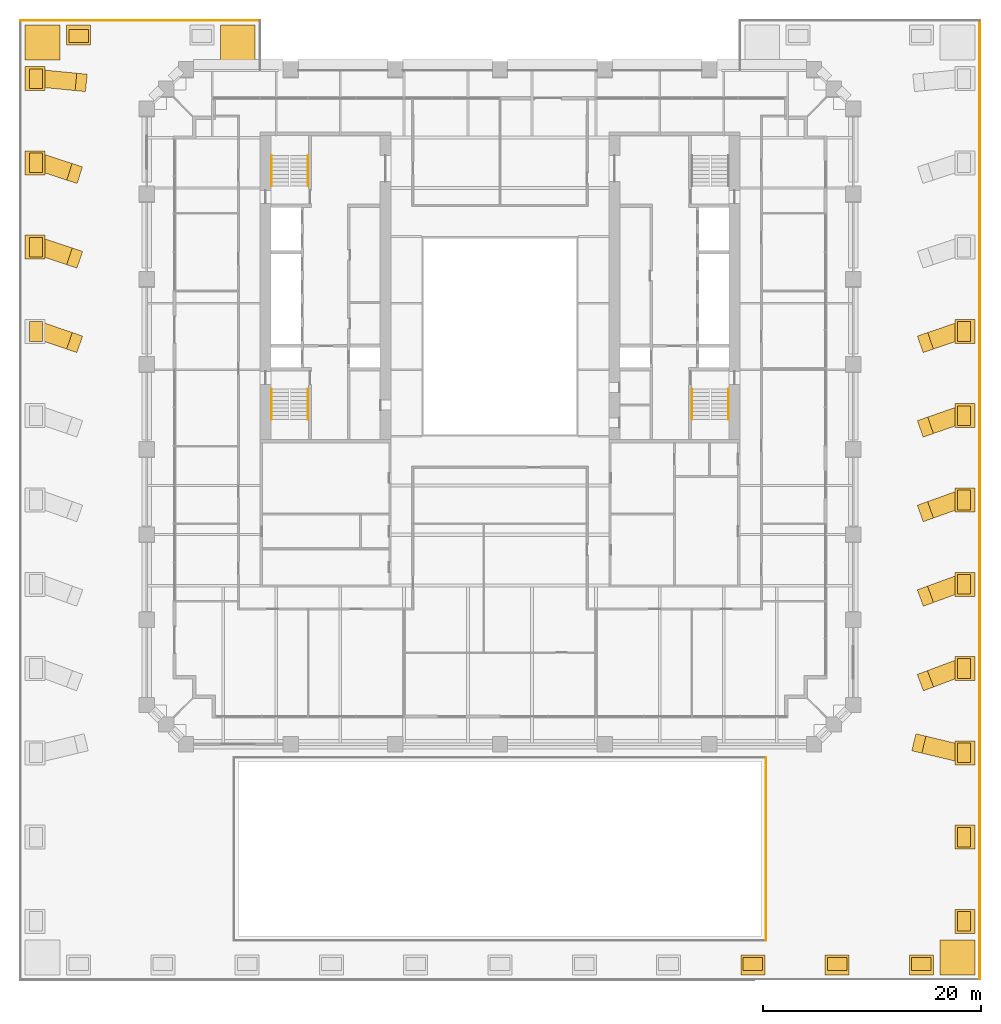
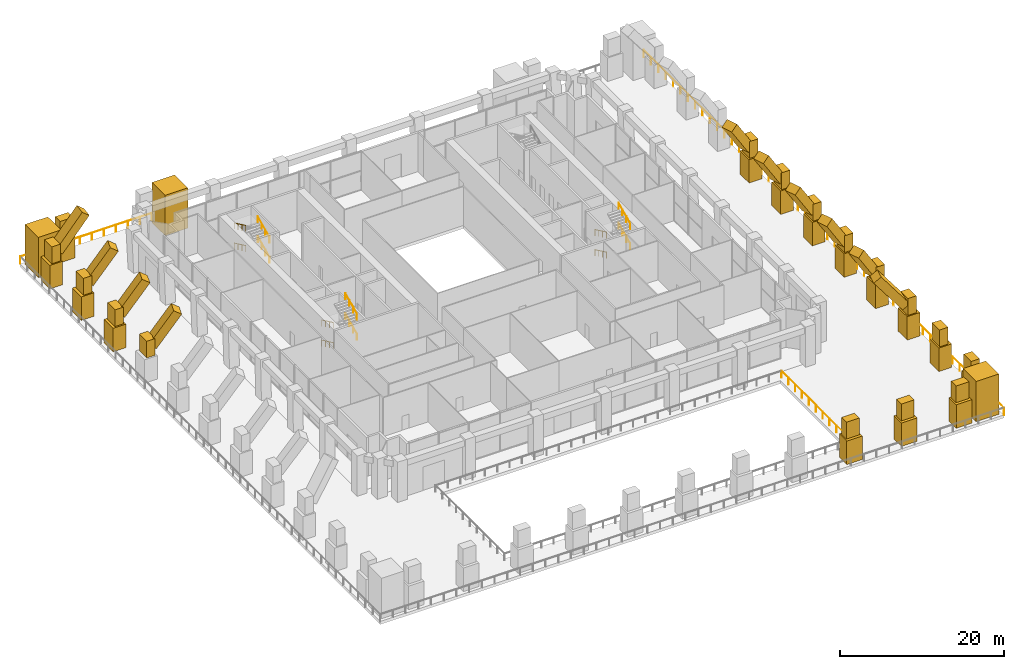
# One storey, part 19 of 20: 44 coverings, 15 railings.
"""IFC4 building model written with IfcOpenShell, lengths in metres."""

import ifcopenshell
import ifcopenshell.guid

model = None  # the IFC model being written
_history = None  # IfcOwnerHistory: only IFC2X3 demands one
_inside = {}  # id of a spatial element -> (the spatial element, [elements in it])
_under = {}  # id of a project, library or spatial element -> (it, [spatial elements below it])
_declared = {}  # id of a project -> (the project, [libraries it declares])
_typed = {}  # id of a type object -> (the type object, [elements of that type])
_made_of = {}  # id of a material, layer set ... -> (it, [elements and type objects made of it])


def new_model(schema):
    """Start an empty IFC model of exactly this schema.

    Asked for "IFC4X3", IfcOpenShell would pick the latest addendum, in which some entities
    have other attributes; the version numbers below select the first issue.
    IFC2X3 requires an IfcOwnerHistory on every rooted entity: one is made here for all.
    """
    global model, _history
    if schema == "IFC4X3":
        model = ifcopenshell.file(schema_version=(4, 3, 0, 0))
    else:
        model = ifcopenshell.file(schema=schema)
    _inside.clear()
    _under.clear()
    _declared.clear()
    _typed.clear()
    _made_of.clear()
    _history = None
    if model.schema == "IFC2X3":
        org = make("IfcOrganization", Name="unknown")
        user = make(
            "IfcPersonAndOrganization",
            ThePerson=make("IfcPerson", FamilyName="unknown"),
            TheOrganization=org,
        )
        app = make(
            "IfcApplication",
            ApplicationDeveloper=org,
            Version="unknown",
            ApplicationFullName="unknown",
            ApplicationIdentifier="unknown",
        )
        _history = make(
            "IfcOwnerHistory",
            OwningUser=user,
            OwningApplication=app,
            ChangeAction="ADDED",
            CreationDate=0,
        )
    return model


def make(cls, **values):
    """One entity of the class cls with the attributes given. An attribute that is None is left unset."""
    return model.create_entity(
        cls, **{name: value for name, value in values.items() if value is not None}
    )


def rooted(cls, **values):
    """An entity with a GlobalId (a new one), such as an element, a storey or a relation."""
    return make(cls, GlobalId=ifcopenshell.guid.new(), OwnerHistory=_history, **values)


def si_unit(unit_type, name, prefix=None):
    """IfcSIUnit, for example si_unit("LENGTHUNIT", "METRE", prefix="MILLI")."""
    return make("IfcSIUnit", UnitType=unit_type, Prefix=prefix, Name=name)


def assignment(units):
    """IfcUnitAssignment: the units of a project."""
    return None if units is None else make("IfcUnitAssignment", Units=units)


def point(xyz):
    """IfcCartesianPoint."""
    return None if xyz is None else make("IfcCartesianPoint", Coordinates=xyz)


def direction(xyz):
    """IfcDirection."""
    return None if xyz is None else make("IfcDirection", DirectionRatios=xyz)


def frame(location, z_axis=None, x_axis=None):
    """IfcAxis2Placement3D, a coordinate frame: its origin and axes. An axis left out is left unset."""
    return make(
        "IfcAxis2Placement3D",
        Location=point(location),
        Axis=direction(z_axis),
        RefDirection=direction(x_axis),
    )


def frame_2d(location, x_axis=None):
    """IfcAxis2Placement2D, a coordinate frame in the plane: its origin and x axis."""
    return make(
        "IfcAxis2Placement2D", Location=point(location), RefDirection=direction(x_axis)
    )


def origin():
    """The frame at (0, 0, 0) with its axes left unset."""
    return frame((0.0, 0.0, 0.0))


def origin_2d():
    """The frame at (0, 0) in the plane with its x axis left unset."""
    return frame_2d((0.0, 0.0))


def place(relative_to, where):
    """IfcLocalPlacement: puts the frame where relative to a parent placement (None: the world)."""
    return make(
        "IfcLocalPlacement", PlacementRelTo=relative_to, RelativePlacement=where
    )


def context(
    kind, dimensions, precision=None, world=None, true_north=None, identifier=None
):
    """IfcGeometricRepresentationContext, for example the 3D "Model" context."""
    return make(
        "IfcGeometricRepresentationContext",
        ContextIdentifier=identifier,
        ContextType=kind,
        CoordinateSpaceDimension=dimensions,
        Precision=precision,
        WorldCoordinateSystem=world,
        TrueNorth=true_north,
    )


def subcontext(parent, identifier, kind, view, scale=None):
    """IfcGeometricRepresentationSubContext, for example "Body" below "Model"."""
    return make(
        "IfcGeometricRepresentationSubContext",
        ContextIdentifier=identifier,
        ContextType=kind,
        ParentContext=parent,
        TargetScale=scale,
        TargetView=view,
    )


def project(units=None, contexts=None):
    """IfcProject with its units and contexts."""
    return rooted(
        "IfcProject",
        Name="project",
        RepresentationContexts=contexts,
        UnitsInContext=assignment(units),
    )


def spatial(cls, under=None, at=None, **own):
    """A site, building, storey or space (cls), placed at a placement, below another one or the project."""
    s = rooted(cls, ObjectPlacement=at, **own)
    if under is not None:
        _under.setdefault(under.id(), (under, []))[1].append(s)
    return s


def profile(cls, at=None, kind="AREA", **sizes):
    """A parametric profile (cls). Its sizes go by their IFC names, for example OverallWidth=200.0."""
    return make(cls, ProfileType=kind, Position=at, **sizes)


def rectangle(**sizes):
    """IfcRectangleProfileDef."""
    return profile("IfcRectangleProfileDef", **sizes)


def circle(**sizes):
    """IfcCircleProfileDef."""
    return profile("IfcCircleProfileDef", **sizes)


def extrude(swept, where, along, depth):
    """IfcExtrudedAreaSolid: the profile swept, set in the frame where, extruded along a direction by depth."""
    return make(
        "IfcExtrudedAreaSolid",
        SweptArea=swept,
        Position=where,
        ExtrudedDirection=direction(along),
        Depth=depth,
    )


def shape(context_of_items, identifier, shape_type, items):
    """IfcShapeRepresentation: the items that make up one representation, for example the "Body"."""
    return make(
        "IfcShapeRepresentation",
        ContextOfItems=context_of_items,
        RepresentationIdentifier=identifier,
        RepresentationType=shape_type,
        Items=items,
    )


def material(Name=None, Category=None):
    """IfcMaterial."""
    return make("IfcMaterial", Name=Name, Category=Category)


def material_profile(
    of_material, cross_section, Name=None, Category=None, Priority=None
):
    """IfcMaterialProfile: a cross section and its material."""
    return make(
        "IfcMaterialProfile",
        Name=Name,
        Material=of_material,
        Profile=cross_section,
        Priority=Priority,
        Category=Category,
    )


def profile_set(profiles, Name=None, composite=None):
    """IfcMaterialProfileSet."""
    return make(
        "IfcMaterialProfileSet",
        Name=Name,
        MaterialProfiles=profiles,
        CompositeProfile=composite,
    )


def made_of(thing, what):
    """Note that an element or type object is made of a material, layer set ...; save() writes the relation."""
    if what is not None:
        _made_of.setdefault(what.id(), (what, []))[1].append(thing)
    return thing


def type_object(cls, material=None, **own):
    """A type object (cls), such as IfcWallType, which elements share."""
    return made_of(rooted(cls, **own), material)


def element(
    cls,
    number,
    at=None,
    inside=None,
    cuts=None,
    type_object=None,
    material=None,
    context=None,
    identifier="Body",
    shape_type=None,
    held_by="IfcProductDefinitionShape",
    body=None,
    shapes=None,
    **own,
):
    """One element of the class cls, such as IfcWall. Its Tag is "e" and its number.

    at: its placement. inside: the storey or other place that contains it. cuts: it is an
    opening in that element (IfcRelVoidsElement). A single representation is given by context,
    identifier, shape_type and body (its items); several are given by shapes. held_by: the class
    of the entity that holds the representations. save() writes the other relations.
    """
    e = rooted(cls, Tag="e%d" % number, ObjectPlacement=at, **own)
    if body is not None:
        shapes = [shape(context, identifier, shape_type, body)]
    if shapes is not None:
        e.Representation = make(held_by, Representations=shapes)
    if inside is not None:
        _inside.setdefault(inside.id(), (inside, []))[1].append(e)
    if cuts is not None:
        rooted(
            "IfcRelVoidsElement", RelatingBuildingElement=cuts, RelatedOpeningElement=e
        )
    if type_object is not None:
        _typed.setdefault(type_object.id(), (type_object, []))[1].append(e)
    return made_of(e, material)


def aggregate(whole, parts):
    """IfcRelAggregates: a whole, such as a stair, and the parts it consists of."""
    return rooted("IfcRelAggregates", RelatingObject=whole, RelatedObjects=parts)


def save(model, path):
    """Write the relations noted so far, then the file.

    IfcRelAggregates (storeys below a building ...), IfcRelContainedInSpatialStructure (elements
    in a storey), IfcRelDefinesByType, IfcRelAssociatesMaterial and IfcRelDeclares: one each for
    every whole, place, type object, material and project.
    """
    for whole, parts in _under.values():
        aggregate(whole, parts)
    for where, things in _inside.values():
        rooted(
            "IfcRelContainedInSpatialStructure",
            RelatedElements=things,
            RelatingStructure=where,
        )
    for kind, things in _typed.values():
        rooted("IfcRelDefinesByType", RelatedObjects=things, RelatingType=kind)
    for what, things in _made_of.values():
        rooted("IfcRelAssociatesMaterial", RelatedObjects=things, RelatingMaterial=what)
    for by, libraries in _declared.values():
        rooted("IfcRelDeclares", RelatingContext=by, RelatedDefinitions=libraries)
    model.write(path)


model = new_model("IFC4")

# Units and contexts
model_context = context("Model", 3, precision=1e-05, world=origin(), true_north=direction((0.0, 1.0)))
body_context = subcontext(model_context, "Body", "Model", "MODEL_VIEW")
ifc_project = project(units=[si_unit("LENGTHUNIT", "METRE"), si_unit("AREAUNIT", "SQUARE_METRE"), si_unit("VOLUMEUNIT", "CUBIC_METRE"), si_unit("PLANEANGLEUNIT", "RADIAN"), si_unit("MASSUNIT", "GRAM", prefix="KILO")], contexts=[model_context])

# Site, building, storey
site_placement = place(None, origin())
site = spatial("IfcSite", under=ifc_project, at=site_placement, CompositionType="ELEMENT")
building_placement = place(site_placement, origin())
building = spatial("IfcBuilding", under=site, at=building_placement, Name="Ogive Exchange Tower", CompositionType="ELEMENT")
storey_placement = place(building_placement, frame((0.0, 0.0, 33.60009765625)))
storey = spatial("IfcBuildingStorey", under=building, at=storey_placement, Name="L06", CompositionType="ELEMENT", Elevation=33.60009765625)

# Railings
ifc_material_1 = material(Name="Stainless steel 316", Category="steel")
railing_type_1 = type_object("IfcRailingType", Name="Balustrade 1100 glass and stainless steel", PredefinedType="BALUSTRADE", material=ifc_material_1)
railing_1_placement = place(storey_placement, frame((-44.0, 36.0, 0.0)))
element("IfcRailing", 1, at=railing_1_placement, inside=storey, type_object=railing_type_1, Name="Terrace balustrade 2", PredefinedType="BALUSTRADE", context=body_context, shape_type="SweptSolid", body=[
    extrude(circle(Radius=0.02392578125, at=origin_2d()), frame((0.0, 0.0, 1.076171875), z_axis=(1.0, 0.0, 0.0), x_axis=(0.0, 1.0, 0.0)), (0.0, 0.0, 1.0), 22.0),
    extrude(circle(Radius=0.02099609375, at=origin_2d()), origin(), (0.0, 0.0, 1.0), 1.052001953125),
    extrude(circle(Radius=0.02099609375, at=origin_2d()), frame((1.6923828125, 0.0, 0.0)), (0.0, 0.0, 1.0), 1.052001953125),
    extrude(circle(Radius=0.02099609375, at=origin_2d()), frame((3.384521484375, 0.0, 0.0)), (0.0, 0.0, 1.0), 1.052001953125),
    extrude(circle(Radius=0.02099609375, at=origin_2d()), frame((5.076904296875, 0.0, 0.0)), (0.0, 0.0, 1.0), 1.052001953125),
    extrude(circle(Radius=0.02099609375, at=origin_2d()), frame((6.769287109375, 0.0, 0.0)), (0.0, 0.0, 1.0), 1.052001953125),
    extrude(circle(Radius=0.02099609375, at=origin_2d()), frame((8.46142578125, 0.0, 0.0)), (0.0, 0.0, 1.0), 1.052001953125),
    extrude(circle(Radius=0.02099609375, at=origin_2d()), frame((10.15380859375, 0.0, 0.0)), (0.0, 0.0, 1.0), 1.052001953125),
    extrude(circle(Radius=0.02099609375, at=origin_2d()), frame((11.84619140625, 0.0, 0.0)), (0.0, 0.0, 1.0), 1.052001953125),
    extrude(circle(Radius=0.02099609375, at=origin_2d()), frame((13.53857421875, 0.0, 0.0)), (0.0, 0.0, 1.0), 1.052001953125),
    extrude(circle(Radius=0.02099609375, at=origin_2d()), frame((15.230712890625, 0.0, 0.0)), (0.0, 0.0, 1.0), 1.052001953125),
    extrude(circle(Radius=0.02099609375, at=origin_2d()), frame((16.923095703125, 0.0, 0.0)), (0.0, 0.0, 1.0), 1.052001953125),
    extrude(circle(Radius=0.02099609375, at=origin_2d()), frame((18.615478515625, 0.0, 0.0)), (0.0, 0.0, 1.0), 1.052001953125),
    extrude(circle(Radius=0.02099609375, at=origin_2d()), frame((20.3076171875, 0.0, 0.0)), (0.0, 0.0, 1.0), 1.052001953125),
    extrude(circle(Radius=0.02099609375, at=origin_2d()), frame((22.0, 0.0, 0.0)), (0.0, 0.0, 1.0), 1.052001953125),
])
railing_2_placement = place(storey_placement, frame((44.0, 36.0, 0.0)))
element("IfcRailing", 2, at=railing_2_placement, inside=storey, type_object=railing_type_1, Name="Terrace balustrade 6", PredefinedType="BALUSTRADE", context=body_context, shape_type="SweptSolid", body=[
    extrude(circle(Radius=0.02392578125, at=origin_2d()), frame((0.0, 0.0, 1.076171875), z_axis=(0.0, -1.0, 0.0), x_axis=(1.0, 0.0, 0.0)), (0.0, 0.0, 1.0), 88.0),
    extrude(circle(Radius=0.02099609375, at=origin_2d()), origin(), (0.0, 0.0, 1.0), 1.052001953125),
    extrude(circle(Radius=0.02099609375, at=origin_2d()), frame((0.0, -1.7958984375, 0.0)), (0.0, 0.0, 1.0), 1.052001953125),
    extrude(circle(Radius=0.02099609375, at=origin_2d()), frame((0.0, -3.591796875, 0.0)), (0.0, 0.0, 1.0), 1.052001953125),
    extrude(circle(Radius=0.02099609375, at=origin_2d()), frame((0.0, -5.3876953125, 0.0)), (0.0, 0.0, 1.0), 1.052001953125),
    extrude(circle(Radius=0.02099609375, at=origin_2d()), frame((0.0, -7.18359375, 0.0)), (0.0, 0.0, 1.0), 1.052001953125),
    extrude(circle(Radius=0.02099609375, at=origin_2d()), frame((0.0, -8.9794921875, 0.0)), (0.0, 0.0, 1.0), 1.052001953125),
    extrude(circle(Radius=0.02099609375, at=origin_2d()), frame((0.0, -10.775390625, 0.0)), (0.0, 0.0, 1.0), 1.052001953125),
    extrude(circle(Radius=0.02099609375, at=origin_2d()), frame((0.0, -12.571533203125, 0.0)), (0.0, 0.0, 1.0), 1.052001953125),
    extrude(circle(Radius=0.02099609375, at=origin_2d()), frame((0.0, -14.367431640625, 0.0)), (0.0, 0.0, 1.0), 1.052001953125),
    extrude(circle(Radius=0.02099609375, at=origin_2d()), frame((0.0, -16.163330078125, 0.0)), (0.0, 0.0, 1.0), 1.052001953125),
    extrude(circle(Radius=0.02099609375, at=origin_2d()), frame((0.0, -17.959228515625, 0.0)), (0.0, 0.0, 1.0), 1.052001953125),
    extrude(circle(Radius=0.02099609375, at=origin_2d()), frame((0.0, -19.755126953125, 0.0)), (0.0, 0.0, 1.0), 1.052001953125),
    extrude(circle(Radius=0.02099609375, at=origin_2d()), frame((0.0, -21.551025390625, 0.0)), (0.0, 0.0, 1.0), 1.052001953125),
    extrude(circle(Radius=0.02099609375, at=origin_2d()), frame((0.0, -23.346923828125, 0.0)), (0.0, 0.0, 1.0), 1.052001953125),
    extrude(circle(Radius=0.02099609375, at=origin_2d()), frame((0.0, -25.142822265625, 0.0)), (0.0, 0.0, 1.0), 1.052001953125),
    extrude(circle(Radius=0.02099609375, at=origin_2d()), frame((0.0, -26.938720703125, 0.0)), (0.0, 0.0, 1.0), 1.052001953125),
    extrude(circle(Radius=0.02099609375, at=origin_2d()), frame((0.0, -28.734619140625, 0.0)), (0.0, 0.0, 1.0), 1.052001953125),
    extrude(circle(Radius=0.02099609375, at=origin_2d()), frame((0.0, -30.530517578125, 0.0)), (0.0, 0.0, 1.0), 1.052001953125),
    extrude(circle(Radius=0.02099609375, at=origin_2d()), frame((0.0, -32.326416015625, 0.0)), (0.0, 0.0, 1.0), 1.052001953125),
    extrude(circle(Radius=0.02099609375, at=origin_2d()), frame((0.0, -34.12255859375, 0.0)), (0.0, 0.0, 1.0), 1.052001953125),
    extrude(circle(Radius=0.02099609375, at=origin_2d()), frame((0.0, -35.91845703125, 0.0)), (0.0, 0.0, 1.0), 1.052001953125),
    extrude(circle(Radius=0.02099609375, at=origin_2d()), frame((0.0, -37.71435546875, 0.0)), (0.0, 0.0, 1.0), 1.052001953125),
    extrude(circle(Radius=0.02099609375, at=origin_2d()), frame((0.0, -39.51025390625, 0.0)), (0.0, 0.0, 1.0), 1.052001953125),
    extrude(circle(Radius=0.02099609375, at=origin_2d()), frame((0.0, -41.30615234375, 0.0)), (0.0, 0.0, 1.0), 1.052001953125),
    extrude(circle(Radius=0.02099609375, at=origin_2d()), frame((0.0, -43.10205078125, 0.0)), (0.0, 0.0, 1.0), 1.052001953125),
    extrude(circle(Radius=0.02099609375, at=origin_2d()), frame((0.0, -44.89794921875, 0.0)), (0.0, 0.0, 1.0), 1.052001953125),
    extrude(circle(Radius=0.02099609375, at=origin_2d()), frame((0.0, -46.69384765625, 0.0)), (0.0, 0.0, 1.0), 1.052001953125),
    extrude(circle(Radius=0.02099609375, at=origin_2d()), frame((0.0, -48.48974609375, 0.0)), (0.0, 0.0, 1.0), 1.052001953125),
    extrude(circle(Radius=0.02099609375, at=origin_2d()), frame((0.0, -50.28564453125, 0.0)), (0.0, 0.0, 1.0), 1.052001953125),
    extrude(circle(Radius=0.02099609375, at=origin_2d()), frame((0.0, -52.08154296875, 0.0)), (0.0, 0.0, 1.0), 1.052001953125),
    extrude(circle(Radius=0.02099609375, at=origin_2d()), frame((0.0, -53.87744140625, 0.0)), (0.0, 0.0, 1.0), 1.052001953125),
    extrude(circle(Radius=0.02099609375, at=origin_2d()), frame((0.0, -55.673583984375, 0.0)), (0.0, 0.0, 1.0), 1.052001953125),
    extrude(circle(Radius=0.02099609375, at=origin_2d()), frame((0.0, -57.469482421875, 0.0)), (0.0, 0.0, 1.0), 1.052001953125),
    extrude(circle(Radius=0.02099609375, at=origin_2d()), frame((0.0, -59.265380859375, 0.0)), (0.0, 0.0, 1.0), 1.052001953125),
    extrude(circle(Radius=0.02099609375, at=origin_2d()), frame((0.0, -61.061279296875, 0.0)), (0.0, 0.0, 1.0), 1.052001953125),
    extrude(circle(Radius=0.02099609375, at=origin_2d()), frame((0.0, -62.857177734375, 0.0)), (0.0, 0.0, 1.0), 1.052001953125),
    extrude(circle(Radius=0.02099609375, at=origin_2d()), frame((0.0, -64.653076171875, 0.0)), (0.0, 0.0, 1.0), 1.052001953125),
    extrude(circle(Radius=0.02099609375, at=origin_2d()), frame((0.0, -66.448974609375, 0.0)), (0.0, 0.0, 1.0), 1.052001953125),
    extrude(circle(Radius=0.02099609375, at=origin_2d()), frame((0.0, -68.244873046875, 0.0)), (0.0, 0.0, 1.0), 1.052001953125),
    extrude(circle(Radius=0.02099609375, at=origin_2d()), frame((0.0, -70.040771484375, 0.0)), (0.0, 0.0, 1.0), 1.052001953125),
    extrude(circle(Radius=0.02099609375, at=origin_2d()), frame((0.0, -71.836669921875, 0.0)), (0.0, 0.0, 1.0), 1.052001953125),
    extrude(circle(Radius=0.02099609375, at=origin_2d()), frame((0.0, -73.632568359375, 0.0)), (0.0, 0.0, 1.0), 1.052001953125),
    extrude(circle(Radius=0.02099609375, at=origin_2d()), frame((0.0, -75.428466796875, 0.0)), (0.0, 0.0, 1.0), 1.052001953125),
    extrude(circle(Radius=0.02099609375, at=origin_2d()), frame((0.0, -77.224609375, 0.0)), (0.0, 0.0, 1.0), 1.052001953125),
    extrude(circle(Radius=0.02099609375, at=origin_2d()), frame((0.0, -79.0205078125, 0.0)), (0.0, 0.0, 1.0), 1.052001953125),
    extrude(circle(Radius=0.02099609375, at=origin_2d()), frame((0.0, -80.81640625, 0.0)), (0.0, 0.0, 1.0), 1.052001953125),
    extrude(circle(Radius=0.02099609375, at=origin_2d()), frame((0.0, -82.6123046875, 0.0)), (0.0, 0.0, 1.0), 1.052001953125),
    extrude(circle(Radius=0.02099609375, at=origin_2d()), frame((0.0, -84.408203125, 0.0)), (0.0, 0.0, 1.0), 1.052001953125),
    extrude(circle(Radius=0.02099609375, at=origin_2d()), frame((0.0, -86.2041015625, 0.0)), (0.0, 0.0, 1.0), 1.052001953125),
    extrude(circle(Radius=0.02099609375, at=origin_2d()), frame((0.0, -88.0, 0.0)), (0.0, 0.0, 1.0), 1.052001953125),
])
railing_3_placement = place(storey_placement, frame((24.39990234375, -31.60009765625, 0.0)))
element("IfcRailing", 3, at=railing_3_placement, inside=storey, type_object=railing_type_1, Name="Terrace balustrade 8", PredefinedType="BALUSTRADE", context=body_context, shape_type="SweptSolid", body=[
    extrude(circle(Radius=0.02392578125, at=origin_2d()), frame((0.0, 0.0, 1.076171875), z_axis=(0.0, -1.0, 0.0), x_axis=(1.0, 0.0, 0.0)), (0.0, 0.0, 1.0), 16.7998046875),
    extrude(circle(Radius=0.02099609375, at=origin_2d()), origin(), (0.0, 0.0, 1.0), 1.052001953125),
    extrude(circle(Radius=0.02099609375, at=origin_2d()), frame((0.0, -1.679931640625, 0.0)), (0.0, 0.0, 1.0), 1.052001953125),
    extrude(circle(Radius=0.02099609375, at=origin_2d()), frame((0.0, -3.35986328125, 0.0)), (0.0, 0.0, 1.0), 1.052001953125),
    extrude(circle(Radius=0.02099609375, at=origin_2d()), frame((0.0, -5.0400390625, 0.0)), (0.0, 0.0, 1.0), 1.052001953125),
    extrude(circle(Radius=0.02099609375, at=origin_2d()), frame((0.0, -6.719970703125, 0.0)), (0.0, 0.0, 1.0), 1.052001953125),
    extrude(circle(Radius=0.02099609375, at=origin_2d()), frame((0.0, -8.39990234375, 0.0)), (0.0, 0.0, 1.0), 1.052001953125),
    extrude(circle(Radius=0.02099609375, at=origin_2d()), frame((0.0, -10.079833984375, 0.0)), (0.0, 0.0, 1.0), 1.052001953125),
    extrude(circle(Radius=0.02099609375, at=origin_2d()), frame((0.0, -11.759765625, 0.0)), (0.0, 0.0, 1.0), 1.052001953125),
    extrude(circle(Radius=0.02099609375, at=origin_2d()), frame((0.0, -13.43994140625, 0.0)), (0.0, 0.0, 1.0), 1.052001953125),
    extrude(circle(Radius=0.02099609375, at=origin_2d()), frame((0.0, -15.119873046875, 0.0)), (0.0, 0.0, 1.0), 1.052001953125),
    extrude(circle(Radius=0.02099609375, at=origin_2d()), frame((0.0, -16.7998046875, 0.0)), (0.0, 0.0, 1.0), 1.052001953125),
])

# Coverings
ifc_material_2 = material(Name="Precast concrete C50/60", Category="concrete")
ifc_material_profile_1 = material_profile(ifc_material_2, rectangle(XDim=2.199951171875, YDim=1.800048828125, at=origin_2d()), Name="BUTTRESS PIER 1 2200 x 1800")
ifc_profile_set_1 = profile_set([ifc_material_profile_1], Name="Precast concrete C50/60")
covering_type_1 = type_object("IfcCoveringType", Name="Precast buttress pier stage 1 2200 x 1800 C50/60", PredefinedType="CLADDING", material=ifc_profile_set_1)
for number, where, z_axis, x_axis, name in (
    (4, (-38.64990234375, 34.64990234375, 0.0), (0.0, 0.0, 1.0), (1.0, 0.0, 0.0), "Buttress pier 4 stage 1"),
    (5, (-42.64990234375, 30.64990234375, 0.0), (0.0, 0.0, 1.0), (0.0, 1.0, 0.0), "Buttress pier 5 stage 1"),
    (6, (-42.64990234375, 22.919921875, 0.0), (0.0, 0.0, 1.0), (0.0, 1.0, 0.0), "Buttress pier 6 stage 1"),
    (7, (-42.64990234375, 15.18994140625, 0.0), (0.0, 0.0, 1.0), (0.0, 1.0, 0.0), "Buttress pier 7 stage 1"),
    (8, (23.18994140625, -50.64990234375, 0.0), (0.0, 0.0, 1.0), (1.0, 0.0, 0.0), "Buttress pier 24 stage 1"),
    (9, (30.919921875, -50.64990234375, 0.0), (0.0, 0.0, 1.0), (1.0, 0.0, 0.0), "Buttress pier 25 stage 1"),
    (10, (38.64990234375, -50.64990234375, 0.0), (0.0, 0.0, 1.0), (1.0, 0.0, 0.0), "Buttress pier 26 stage 1"),
    (11, (42.64990234375, -46.64990234375, 0.0), (0.0, 0.0, 1.0), (0.0, 1.0, 0.0), "Buttress pier 27 stage 1"),
    (12, (42.64990234375, -38.919921875, 0.0), (0.0, 0.0, 1.0), (0.0, 1.0, 0.0), "Buttress pier 28 stage 1"),
    (13, (42.64990234375, -31.18994140625, 0.0), (0.0, 0.0, 1.0), (0.0, 1.0, 0.0), "Buttress pier 29 stage 1"),
    (14, (42.64990234375, -23.4599609375, 0.0), (0.0, 0.0, 1.0), (0.0, 1.0, 0.0), "Buttress pier 30 stage 1"),
    (15, (42.64990234375, -15.72998046875, 0.0), (0.0, 0.0, 1.0), (0.0, 1.0, 0.0), "Buttress pier 31 stage 1"),
    (16, (42.64990234375, -8.0, 0.0), (0.0, 0.0, 1.0), (0.0, 1.0, 0.0), "Buttress pier 32 stage 1"),
    (17, (42.64990234375, -0.27001953125, 0.0), (0.0, 0.0, 1.0), (0.0, 1.0, 0.0), "Buttress pier 33 stage 1"),
    (18, (42.64990234375, 7.4599609375, 0.0), (0.0, 0.0, 1.0), (0.0, 1.0, 0.0), "Buttress pier 34 stage 1"),
):
    element("IfcCovering", number, at=place(storey_placement, frame(where, z_axis=z_axis, x_axis=x_axis)), inside=storey, type_object=covering_type_1, Name=name, PredefinedType="CLADDING", context=body_context, shape_type="SweptSolid", body=[
        extrude(rectangle(XDim=2.199951171875, YDim=1.800048828125, at=origin_2d()), origin(), (0.0, 0.0, 1.0), 3.5),
    ])
ifc_material_profile_2 = material_profile(ifc_material_2, rectangle(XDim=1.800048828125, YDim=1.199951171875, at=origin_2d()), Name="BUTTRESS PIER 2 1800 x 1200")
ifc_profile_set_2 = profile_set([ifc_material_profile_2], Name="Precast concrete C50/60")
covering_type_2 = type_object("IfcCoveringType", Name="Precast buttress pier stage 2 1800 x 1200 C50/60", PredefinedType="CLADDING", material=ifc_profile_set_2)
for number, where, z_axis, x_axis, name in (
    (19, (-38.64990234375, 34.550048828125, 3.5), (0.0, 0.0, 1.0), (1.0, 0.0, 0.0), "Buttress pier 4 stage 2"),
    (20, (-42.550048828125, 30.64990234375, 3.5), (0.0, 0.0, 1.0), (0.0, 1.0, 0.0), "Buttress pier 5 stage 2"),
    (21, (-42.550048828125, 22.919921875, 3.5), (0.0, 0.0, 1.0), (0.0, 1.0, 0.0), "Buttress pier 6 stage 2"),
    (22, (-42.550048828125, 15.18994140625, 3.5), (0.0, 0.0, 1.0), (0.0, 1.0, 0.0), "Buttress pier 7 stage 2"),
    (23, (-42.550048828125, 7.4599609375, 3.5), (0.0, 0.0, 1.0), (0.0, 1.0, 0.0), "Buttress pier 8 stage 2"),
    (24, (23.18994140625, -50.550048828125, 3.5), (0.0, 0.0, 1.0), (1.0, 0.0, 0.0), "Buttress pier 24 stage 2"),
    (25, (30.919921875, -50.550048828125, 3.5), (0.0, 0.0, 1.0), (1.0, 0.0, 0.0), "Buttress pier 25 stage 2"),
    (26, (38.64990234375, -50.550048828125, 3.5), (0.0, 0.0, 1.0), (1.0, 0.0, 0.0), "Buttress pier 26 stage 2"),
    (27, (42.550048828125, -46.64990234375, 3.5), (0.0, 0.0, 1.0), (0.0, 1.0, 0.0), "Buttress pier 27 stage 2"),
    (28, (42.550048828125, -38.919921875, 3.5), (0.0, 0.0, 1.0), (0.0, 1.0, 0.0), "Buttress pier 28 stage 2"),
    (29, (42.550048828125, -31.18994140625, 3.5), (0.0, 0.0, 1.0), (0.0, 1.0, 0.0), "Buttress pier 29 stage 2"),
    (30, (42.550048828125, -23.4599609375, 3.5), (0.0, 0.0, 1.0), (0.0, 1.0, 0.0), "Buttress pier 30 stage 2"),
    (31, (42.550048828125, -15.72998046875, 3.5), (0.0, 0.0, 1.0), (0.0, 1.0, 0.0), "Buttress pier 31 stage 2"),
    (32, (42.550048828125, -8.0, 3.5), (0.0, 0.0, 1.0), (0.0, 1.0, 0.0), "Buttress pier 32 stage 2"),
    (33, (42.550048828125, -0.27001953125, 3.5), (0.0, 0.0, 1.0), (0.0, 1.0, 0.0), "Buttress pier 33 stage 2"),
    (34, (42.550048828125, 7.4599609375, 3.5), (0.0, 0.0, 1.0), (0.0, 1.0, 0.0), "Buttress pier 34 stage 2"),
):
    element("IfcCovering", number, at=place(storey_placement, frame(where, z_axis=z_axis, x_axis=x_axis)), inside=storey, type_object=covering_type_2, Name=name, PredefinedType="CLADDING", context=body_context, shape_type="SweptSolid", body=[
        extrude(rectangle(XDim=1.800048828125, YDim=1.199951171875, at=origin_2d()), origin(), (0.0, 0.0, 1.0), 2.5),
    ])
ifc_material_profile_3 = material_profile(ifc_material_2, rectangle(XDim=3.199951171875, YDim=3.199951171875, at=origin_2d()), Name="CORNER TURRET 1 3200 x 3200")
ifc_profile_set_3 = profile_set([ifc_material_profile_3], Name="Precast concrete C50/60")
covering_type_3 = type_object("IfcCoveringType", Name="Precast corner turret stage 1 3200 x 3200 C50/60", PredefinedType="CLADDING", material=ifc_profile_set_3)
for number, where, z_axis, x_axis, name in (
    (35, (-24.050048828125, 33.949951171875, 0.0), (0.0, 0.0, 1.0), (1.0, 0.0, 0.0), "Corner turret 3 stage 1"),
    (36, (-41.949951171875, 33.949951171875, 0.0), (0.0, 0.0, 1.0), (1.0, 0.0, 0.0), "Corner turret 4 stage 1"),
    (37, (41.949951171875, -49.949951171875, 0.0), (0.0, 0.0, 1.0), (1.0, 0.0, 0.0), "Corner turret 6 stage 1"),
):
    element("IfcCovering", number, at=place(storey_placement, frame(where, z_axis=z_axis, x_axis=x_axis)), inside=storey, type_object=covering_type_3, Name=name, PredefinedType="CLADDING", context=body_context, shape_type="SweptSolid", body=[
        extrude(rectangle(XDim=3.199951171875, YDim=3.199951171875, at=origin_2d()), origin(), (0.0, 0.0, 1.0), 6.0),
    ])
ifc_material_profile_4 = material_profile(ifc_material_2, rectangle(XDim=1.60009765625, YDim=1.199951171875, at=origin_2d()), Name="FLYING BUTTRESS 1 1600 x 1200")
ifc_profile_set_4 = profile_set([ifc_material_profile_4], Name="Precast concrete C50/60")
covering_type_4 = type_object("IfcCoveringType", Name="Precast flying buttress stage 1 1600 x 1200 C50/60", PredefinedType="CLADDING", material=ifc_profile_set_4)
covering_1_placement = place(storey_placement, frame((-42.0, 30.64990234375, 4.75), z_axis=(0.60342826564, -0.058920189743, 0.795237536505), x_axis=(0.097180248137, 0.995266798086, 0.0)))
element("IfcCovering", 38, at=covering_1_placement, inside=storey, type_object=covering_type_4, Name="Flying buttress 1 stage 1", PredefinedType="CLADDING", context=body_context, shape_type="SweptSolid", body=[
    extrude(rectangle(XDim=1.60009765625, YDim=1.199951171875, at=origin_2d()), origin(), (0.0, 0.0, 1.0), 5.937744140625),
])
covering_2_placement = place(storey_placement, frame((42.0, -31.18994140625, 4.75), z_axis=(-0.59817122313, 0.144081171557, 0.788309459427), x_axis=(-0.234172109544, -0.972195156906, 0.0)))
element("IfcCovering", 39, at=covering_2_placement, inside=storey, type_object=covering_type_4, Name="Flying buttress 4 stage 1", PredefinedType="CLADDING", context=body_context, shape_type="SweptSolid", body=[
    extrude(rectangle(XDim=1.60009765625, YDim=1.199951171875, at=origin_2d()), origin(), (0.0, 0.0, 1.0), 5.989990234375),
])
covering_3_placement = place(storey_placement, frame((-42.0, 22.919921875, 4.75), z_axis=(0.526152302022, -0.17160884953, 0.832895046113), x_axis=(0.310081758742, 0.950709894182, 0.0)))
element("IfcCovering", 40, at=covering_3_placement, inside=storey, type_object=covering_type_4, Name="Flying buttress 5 stage 1", PredefinedType="CLADDING", context=body_context, shape_type="SweptSolid", body=[
    extrude(rectangle(XDim=1.60009765625, YDim=1.199951171875, at=origin_2d()), origin(), (0.0, 0.0, 1.0), 5.669189453125),
])
covering_4_placement = place(storey_placement, frame((-42.0, 15.18994140625, 4.75), z_axis=(0.525766984395, -0.175700327163, 0.832285091273), x_axis=(0.316949602278, 0.948442380757, 0.0)))
element("IfcCovering", 41, at=covering_4_placement, inside=storey, type_object=covering_type_4, Name="Flying buttress 8 stage 1", PredefinedType="CLADDING", context=body_context, shape_type="SweptSolid", body=[
    extrude(rectangle(XDim=1.60009765625, YDim=1.199951171875, at=origin_2d()), origin(), (0.0, 0.0, 1.0), 5.67333984375),
])
for number, where, z_axis, x_axis, name in (
    (42, (-42.0, 7.4599609375, 4.75), (0.525385362853, -0.179657885578, 0.831680987308), (0.323559963554, 0.946207667473, 0.0), "Flying buttress 9 stage 1"),
    (43, (42.0, 7.4599609375, 4.75), (-0.525385362853, -0.179657885578, 0.831680987308), (0.323559963554, -0.946207667473, 0.0), "Flying buttress 10 stage 1"),
):
    element("IfcCovering", number, at=place(storey_placement, frame(where, z_axis=z_axis, x_axis=x_axis)), inside=storey, type_object=covering_type_4, Name=name, PredefinedType="CLADDING", context=body_context, shape_type="SweptSolid", body=[
        extrude(rectangle(XDim=1.60009765625, YDim=1.199951171875, at=origin_2d()), origin(), (0.0, 0.0, 1.0), 5.677490234375),
    ])
covering_5_placement = place(storey_placement, frame((42.0, -0.27001953125, 4.75), z_axis=(-0.524999964228, -0.183565219118, 0.83107090425), x_axis=(0.330054446149, -0.943961896782, 0.0)))
element("IfcCovering", 44, at=covering_5_placement, inside=storey, type_object=covering_type_4, Name="Flying buttress 12 stage 1", PredefinedType="CLADDING", context=body_context, shape_type="SweptSolid", body=[
    extrude(rectangle(XDim=1.60009765625, YDim=1.199951171875, at=origin_2d()), origin(), (0.0, 0.0, 1.0), 5.681640625),
])
covering_6_placement = place(storey_placement, frame((42.0, -8.0, 4.75), z_axis=(-0.524589968859, -0.187629576356, 0.830421884736), x_axis=(0.336775737707, -0.941584888628, 0.0)))
element("IfcCovering", 45, at=covering_6_placement, inside=storey, type_object=covering_type_4, Name="Flying buttress 13 stage 1", PredefinedType="CLADDING", context=body_context, shape_type="SweptSolid", body=[
    extrude(rectangle(XDim=1.60009765625, YDim=1.199951171875, at=origin_2d()), origin(), (0.0, 0.0, 1.0), 5.686279296875),
])
covering_7_placement = place(storey_placement, frame((42.0, -15.72998046875, 4.75), z_axis=(-0.524184594531, -0.191560338401, 0.829780180294), x_axis=(0.343242512991, -0.939246813823, 0.0)))
element("IfcCovering", 46, at=covering_7_placement, inside=storey, type_object=covering_type_4, Name="Flying buttress 16 stage 1", PredefinedType="CLADDING", context=body_context, shape_type="SweptSolid", body=[
    extrude(rectangle(XDim=1.60009765625, YDim=1.199951171875, at=origin_2d()), origin(), (0.0, 0.0, 1.0), 5.690673828125),
])
covering_8_placement = place(storey_placement, frame((42.0, -23.4599609375, 4.75), z_axis=(-0.523775860058, -0.195440673269, 0.829133156768), x_axis=(0.349593533626, -0.93690146827, 0.0)))
element("IfcCovering", 47, at=covering_8_placement, inside=storey, type_object=covering_type_4, Name="Flying buttress 18 stage 1", PredefinedType="CLADDING", context=body_context, shape_type="SweptSolid", body=[
    extrude(rectangle(XDim=1.60009765625, YDim=1.199951171875, at=origin_2d()), origin(), (0.0, 0.0, 1.0), 5.695068359375),
])

# Railings
ifc_material_3 = material(Name="Stainless steel", Category="steel")
railing_type_2 = type_object("IfcRailingType", Name="Stair handrail 900", PredefinedType="HANDRAIL", material=ifc_material_3)
railing_4_placement = place(storey_placement, frame((-20.949951171875, 2.199951171875, 0.16650390625)))
element("IfcRailing", 48, at=railing_4_placement, inside=storey, type_object=railing_type_2, Name="L06 ST1 stair handrail 1", PredefinedType="HANDRAIL", context=body_context, shape_type="SweptSolid", body=[
    extrude(circle(Radius=0.02392578125, at=origin_2d()), frame((0.0, 0.0, 0.8759765625), z_axis=(0.0, -0.903307180593, 0.428994332701), x_axis=(1.0, 0.0, 0.0)), (0.0, 0.0, 1.0), 3.1083984375),
    extrude(circle(Radius=0.02099609375, at=origin_2d()), origin(), (0.0, 0.0, 1.0), 0.851806640625),
    extrude(circle(Radius=0.02099609375, at=origin_2d()), frame((0.0, -0.93603515625, 0.444580078125)), (0.0, 0.0, 1.0), 0.851806640625),
    extrude(circle(Radius=0.02099609375, at=origin_2d()), frame((0.0, -1.871826171875, 0.888916015625)), (0.0, 0.0, 1.0), 0.851806640625),
    extrude(circle(Radius=0.02099609375, at=origin_2d()), frame((0.0, -2.807861328125, 1.33349609375)), (0.0, 0.0, 1.0), 0.851806640625),
])
railing_5_placement = place(storey_placement, frame((-17.60009765625, -0.60791015625, 1.66650390625)))
element("IfcRailing", 49, at=railing_5_placement, inside=storey, type_object=railing_type_2, Name="L06 ST1 stair handrail 2", PredefinedType="HANDRAIL", context=body_context, shape_type="SweptSolid", body=[
    extrude(circle(Radius=0.02392578125, at=origin_2d()), frame((0.0, 0.0, 0.8759765625), z_axis=(0.0, 0.903307180593, 0.428994332701), x_axis=(-1.0, 0.0, 0.0)), (0.0, 0.0, 1.0), 3.1083984375),
    extrude(circle(Radius=0.02099609375, at=origin_2d()), origin(), (0.0, 0.0, 1.0), 0.851806640625),
    extrude(circle(Radius=0.02099609375, at=origin_2d()), frame((0.0, 0.93603515625, 0.444580078125)), (0.0, 0.0, 1.0), 0.851806640625),
    extrude(circle(Radius=0.02099609375, at=origin_2d()), frame((0.0, 1.871826171875, 0.888916015625)), (0.0, 0.0, 1.0), 0.851806640625),
    extrude(circle(Radius=0.02099609375, at=origin_2d()), frame((0.0, 2.807861328125, 1.33349609375)), (0.0, 0.0, 1.0), 0.851806640625),
])
railing_6_placement = place(storey_placement, frame((-20.949951171875, 2.199951171875, 3.16650390625)))
element("IfcRailing", 50, at=railing_6_placement, inside=storey, type_object=railing_type_2, Name="L06 ST1 stair handrail 3", PredefinedType="HANDRAIL", context=body_context, shape_type="SweptSolid", body=[
    extrude(circle(Radius=0.02392578125, at=origin_2d()), frame((0.0, 0.0, 0.8759765625), z_axis=(0.0, -0.903307180593, 0.428994332701), x_axis=(1.0, 0.0, 0.0)), (0.0, 0.0, 1.0), 3.1083984375),
    extrude(circle(Radius=0.02099609375, at=origin_2d()), origin(), (0.0, 0.0, 1.0), 0.851806640625),
    extrude(circle(Radius=0.02099609375, at=origin_2d()), frame((0.0, -0.93603515625, 0.444580078125)), (0.0, 0.0, 1.0), 0.851806640625),
    extrude(circle(Radius=0.02099609375, at=origin_2d()), frame((0.0, -1.871826171875, 0.888916015625)), (0.0, 0.0, 1.0), 0.851806640625),
    extrude(circle(Radius=0.02099609375, at=origin_2d()), frame((0.0, -2.807861328125, 1.33349609375)), (0.0, 0.0, 1.0), 0.851806640625),
])
for number, where, name in (
    (51, (-17.60009765625, -0.60791015625, 4.66650390625), "L06 ST1 stair handrail 4"),
    (52, (-17.60009765625, 20.800048828125, 0.16650390625), "L06 ST2 stair handrail 1"),
):
    element("IfcRailing", number, at=place(storey_placement, frame(where)), inside=storey, type_object=railing_type_2, Name=name, PredefinedType="HANDRAIL", context=body_context, shape_type="SweptSolid", body=[
        extrude(circle(Radius=0.02392578125, at=origin_2d()), frame((0.0, 0.0, 0.8759765625), z_axis=(0.0, 0.903307180593, 0.428994332701), x_axis=(-1.0, 0.0, 0.0)), (0.0, 0.0, 1.0), 3.1083984375),
        extrude(circle(Radius=0.02099609375, at=origin_2d()), origin(), (0.0, 0.0, 1.0), 0.851806640625),
        extrude(circle(Radius=0.02099609375, at=origin_2d()), frame((0.0, 0.93603515625, 0.444580078125)), (0.0, 0.0, 1.0), 0.851806640625),
        extrude(circle(Radius=0.02099609375, at=origin_2d()), frame((0.0, 1.871826171875, 0.888916015625)), (0.0, 0.0, 1.0), 0.851806640625),
        extrude(circle(Radius=0.02099609375, at=origin_2d()), frame((0.0, 2.807861328125, 1.33349609375)), (0.0, 0.0, 1.0), 0.851806640625),
    ])
railing_7_placement = place(storey_placement, frame((-20.949951171875, 23.60791015625, 1.66650390625)))
element("IfcRailing", 53, at=railing_7_placement, inside=storey, type_object=railing_type_2, Name="L06 ST2 stair handrail 2", PredefinedType="HANDRAIL", context=body_context, shape_type="SweptSolid", body=[
    extrude(circle(Radius=0.02392578125, at=origin_2d()), frame((0.0, 0.0, 0.8759765625), z_axis=(0.0, -0.903307180593, 0.428994332701), x_axis=(1.0, 0.0, 0.0)), (0.0, 0.0, 1.0), 3.1083984375),
    extrude(circle(Radius=0.02099609375, at=origin_2d()), origin(), (0.0, 0.0, 1.0), 0.851806640625),
    extrude(circle(Radius=0.02099609375, at=origin_2d()), frame((0.0, -0.93603515625, 0.444580078125)), (0.0, 0.0, 1.0), 0.851806640625),
    extrude(circle(Radius=0.02099609375, at=origin_2d()), frame((0.0, -1.871826171875, 0.888916015625)), (0.0, 0.0, 1.0), 0.851806640625),
    extrude(circle(Radius=0.02099609375, at=origin_2d()), frame((0.0, -2.807861328125, 1.33349609375)), (0.0, 0.0, 1.0), 0.851806640625),
])
railing_8_placement = place(storey_placement, frame((-17.60009765625, 20.800048828125, 3.16650390625)))
element("IfcRailing", 54, at=railing_8_placement, inside=storey, type_object=railing_type_2, Name="L06 ST2 stair handrail 3", PredefinedType="HANDRAIL", context=body_context, shape_type="SweptSolid", body=[
    extrude(circle(Radius=0.02392578125, at=origin_2d()), frame((0.0, 0.0, 0.8759765625), z_axis=(0.0, 0.903307180593, 0.428994332701), x_axis=(-1.0, 0.0, 0.0)), (0.0, 0.0, 1.0), 3.1083984375),
    extrude(circle(Radius=0.02099609375, at=origin_2d()), origin(), (0.0, 0.0, 1.0), 0.851806640625),
    extrude(circle(Radius=0.02099609375, at=origin_2d()), frame((0.0, 0.93603515625, 0.444580078125)), (0.0, 0.0, 1.0), 0.851806640625),
    extrude(circle(Radius=0.02099609375, at=origin_2d()), frame((0.0, 1.871826171875, 0.888916015625)), (0.0, 0.0, 1.0), 0.851806640625),
    extrude(circle(Radius=0.02099609375, at=origin_2d()), frame((0.0, 2.807861328125, 1.33349609375)), (0.0, 0.0, 1.0), 0.851806640625),
])
for number, where, name in (
    (55, (-20.949951171875, 23.60791015625, 4.66650390625), "L06 ST2 stair handrail 4"),
    (56, (17.60009765625, 2.199951171875, 0.16650390625), "L06 ST3 stair handrail 1"),
):
    element("IfcRailing", number, at=place(storey_placement, frame(where)), inside=storey, type_object=railing_type_2, Name=name, PredefinedType="HANDRAIL", context=body_context, shape_type="SweptSolid", body=[
        extrude(circle(Radius=0.02392578125, at=origin_2d()), frame((0.0, 0.0, 0.8759765625), z_axis=(0.0, -0.903307180593, 0.428994332701), x_axis=(1.0, 0.0, 0.0)), (0.0, 0.0, 1.0), 3.1083984375),
        extrude(circle(Radius=0.02099609375, at=origin_2d()), origin(), (0.0, 0.0, 1.0), 0.851806640625),
        extrude(circle(Radius=0.02099609375, at=origin_2d()), frame((0.0, -0.93603515625, 0.444580078125)), (0.0, 0.0, 1.0), 0.851806640625),
        extrude(circle(Radius=0.02099609375, at=origin_2d()), frame((0.0, -1.871826171875, 0.888916015625)), (0.0, 0.0, 1.0), 0.851806640625),
        extrude(circle(Radius=0.02099609375, at=origin_2d()), frame((0.0, -2.807861328125, 1.33349609375)), (0.0, 0.0, 1.0), 0.851806640625),
    ])
railing_9_placement = place(storey_placement, frame((20.949951171875, -0.60791015625, 1.66650390625)))
element("IfcRailing", 57, at=railing_9_placement, inside=storey, type_object=railing_type_2, Name="L06 ST3 stair handrail 2", PredefinedType="HANDRAIL", context=body_context, shape_type="SweptSolid", body=[
    extrude(circle(Radius=0.02392578125, at=origin_2d()), frame((0.0, 0.0, 0.8759765625), z_axis=(0.0, 0.903307180593, 0.428994332701), x_axis=(-1.0, 0.0, 0.0)), (0.0, 0.0, 1.0), 3.1083984375),
    extrude(circle(Radius=0.02099609375, at=origin_2d()), origin(), (0.0, 0.0, 1.0), 0.851806640625),
    extrude(circle(Radius=0.02099609375, at=origin_2d()), frame((0.0, 0.93603515625, 0.444580078125)), (0.0, 0.0, 1.0), 0.851806640625),
    extrude(circle(Radius=0.02099609375, at=origin_2d()), frame((0.0, 1.871826171875, 0.888916015625)), (0.0, 0.0, 1.0), 0.851806640625),
    extrude(circle(Radius=0.02099609375, at=origin_2d()), frame((0.0, 2.807861328125, 1.33349609375)), (0.0, 0.0, 1.0), 0.851806640625),
])
railing_10_placement = place(storey_placement, frame((17.60009765625, 2.199951171875, 3.16650390625)))
element("IfcRailing", 58, at=railing_10_placement, inside=storey, type_object=railing_type_2, Name="L06 ST3 stair handrail 3", PredefinedType="HANDRAIL", context=body_context, shape_type="SweptSolid", body=[
    extrude(circle(Radius=0.02392578125, at=origin_2d()), frame((0.0, 0.0, 0.8759765625), z_axis=(0.0, -0.903307180593, 0.428994332701), x_axis=(1.0, 0.0, 0.0)), (0.0, 0.0, 1.0), 3.1083984375),
    extrude(circle(Radius=0.02099609375, at=origin_2d()), origin(), (0.0, 0.0, 1.0), 0.851806640625),
    extrude(circle(Radius=0.02099609375, at=origin_2d()), frame((0.0, -0.93603515625, 0.444580078125)), (0.0, 0.0, 1.0), 0.851806640625),
    extrude(circle(Radius=0.02099609375, at=origin_2d()), frame((0.0, -1.871826171875, 0.888916015625)), (0.0, 0.0, 1.0), 0.851806640625),
    extrude(circle(Radius=0.02099609375, at=origin_2d()), frame((0.0, -2.807861328125, 1.33349609375)), (0.0, 0.0, 1.0), 0.851806640625),
])
railing_11_placement = place(storey_placement, frame((20.949951171875, -0.60791015625, 4.66650390625)))
element("IfcRailing", 59, at=railing_11_placement, inside=storey, type_object=railing_type_2, Name="L06 ST3 stair handrail 4", PredefinedType="HANDRAIL", context=body_context, shape_type="SweptSolid", body=[
    extrude(circle(Radius=0.02392578125, at=origin_2d()), frame((0.0, 0.0, 0.8759765625), z_axis=(0.0, 0.903307180593, 0.428994332701), x_axis=(-1.0, 0.0, 0.0)), (0.0, 0.0, 1.0), 3.1083984375),
    extrude(circle(Radius=0.02099609375, at=origin_2d()), origin(), (0.0, 0.0, 1.0), 0.851806640625),
    extrude(circle(Radius=0.02099609375, at=origin_2d()), frame((0.0, 0.93603515625, 0.444580078125)), (0.0, 0.0, 1.0), 0.851806640625),
    extrude(circle(Radius=0.02099609375, at=origin_2d()), frame((0.0, 1.871826171875, 0.888916015625)), (0.0, 0.0, 1.0), 0.851806640625),
    extrude(circle(Radius=0.02099609375, at=origin_2d()), frame((0.0, 2.807861328125, 1.33349609375)), (0.0, 0.0, 1.0), 0.851806640625),
])

save(model, "model.ifc")
